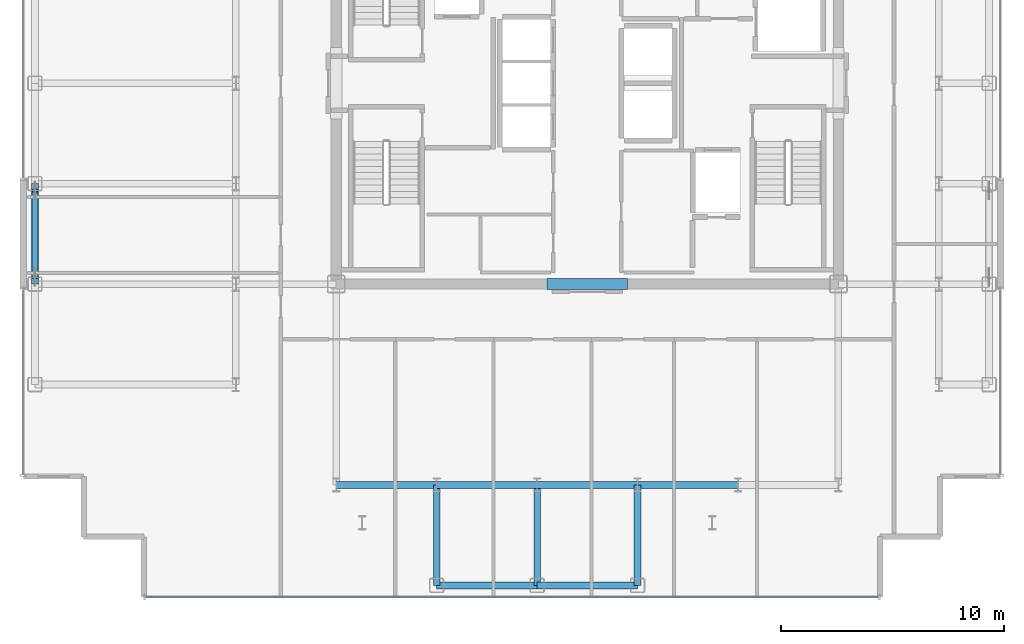
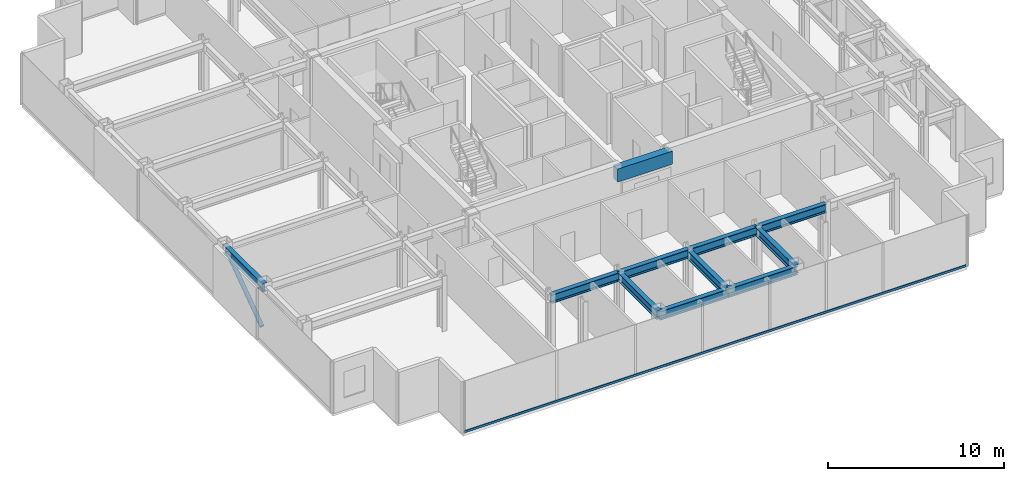
# One storey, part 3 of 16: 11 beams, 2 members, 1 element without a shape of its own.
"""IFC4 building model written with IfcOpenShell, lengths in metres."""

from ifc_helpers import new_model, si_unit, direction, frame, origin, origin_2d, place, context, subcontext, project, spatial, rectangle, hollow_rectangle, hollow_circle, i_section, extrude, source, transform, mapped, material, layer, layer_set, material_profile, profile_set, type_object, element, aggregate, save


model = new_model("IFC4")

# Units and contexts
model_context = context("Model", 3, precision=1e-05, world=origin(), true_north=direction((0.0, 1.0)))
body_context = subcontext(model_context, "Body", "Model", "MODEL_VIEW")
ifc_project = project(units=[si_unit("LENGTHUNIT", "METRE"), si_unit("AREAUNIT", "SQUARE_METRE"), si_unit("VOLUMEUNIT", "CUBIC_METRE"), si_unit("PLANEANGLEUNIT", "RADIAN"), si_unit("MASSUNIT", "GRAM", prefix="KILO")], contexts=[model_context])

# Site, building, storey
site_placement = place(None, origin())
site = spatial("IfcSite", under=ifc_project, at=site_placement, CompositionType="ELEMENT")
building_placement = place(site_placement, origin())
building = spatial("IfcBuilding", under=site, at=building_placement, Name="Nefas-Gora Pilgrimage Tower", CompositionType="ELEMENT")
storey_placement = place(building_placement, frame((0.0, 0.0, 276.0)))
storey = spatial("IfcBuildingStorey", under=building, at=storey_placement, Name="L69", CompositionType="ELEMENT", Elevation=276.0)

# Beams
ifc_material_1 = material(Name="Concrete C50/60", Category="concrete")
ifc_material_profile_1 = material_profile(ifc_material_1, rectangle(XDim=0.5, YDim=0.89990234375, at=origin_2d()), Name="RC 500x900")
ifc_profile_set_1 = profile_set([ifc_material_profile_1], Name="Concrete C50/60")
beam_type_1 = type_object("IfcBeamType", Name="BM-LIN-RC900", PredefinedType="LINTEL", material=ifc_profile_set_1)
shared_shape_1 = source(origin(), body_context, "Body", "SweptSolid", [
    extrude(rectangle(XDim=0.5, YDim=0.89990234375, at=origin_2d()), origin(), (0.0, 0.0, 1.0), 3.60009765625),
])
beam_placement = place(storey_placement, frame((-1.800048828125, -9.0, 3.10009765625), z_axis=(1.0, 0.0, 0.0), x_axis=(0.0, 1.0, 0.0)))
element("IfcBeam", 1, at=beam_placement, inside=storey, type_object=beam_type_1, Name="L69 Core Coupling Lintel Beam S", PredefinedType="LINTEL", context=body_context, shape_type="MappedRepresentation", body=[
    mapped(shared_shape_1, transform((0.0, 0.0, 0.0), x_axis=(1.0, 0.0, 0.0), y_axis=(0.0, 1.0, 0.0), z_axis=(0.0, 0.0, 1.0), scale=1.0)),
])
ifc_material_2 = material(Name="Steel S355", Category="steel")
ifc_material_profile_2 = material_profile(ifc_material_2, i_section(OverallWidth=0.300048828125, OverallDepth=0.60009765625, WebThickness=0.015380859375, FlangeThickness=0.030029296875, FilletRadius=0.027099609375, at=origin_2d()), Name="HEB 600")
ifc_profile_set_2 = profile_set([ifc_material_profile_2], Name="Steel S355")
beam_type_2 = type_object("IfcBeamType", Name="BM-SPN-HEB450", PredefinedType="SPANDREL", material=ifc_profile_set_2)
shared_shape_2 = source(origin(), body_context, "Body", "SweptSolid", [
    extrude(i_section(OverallWidth=0.300048828125, OverallDepth=0.60009765625, WebThickness=0.015380859375, FlangeThickness=0.030029296875, FilletRadius=0.027099609375, at=origin_2d()), origin(), (0.0, 0.0, 1.0), 4.5),
])
for number, where, z_axis, x_axis, name in (
    (2, (-24.75, -9.0, 3.25), (0.0, 1.0, 0.0), (-1.0, 0.0, 0.0), "L69 SP-03 beam"),
    (3, (-6.75, -22.5, 3.25), (1.0, 0.0, 0.0), (0.0, 1.0, 0.0), "L69 SP-03 beam"),
    (4, (-2.25, -22.5, 3.25), (1.0, 0.0, 0.0), (0.0, 1.0, 0.0), "L69 SP-03 beam"),
):
    element("IfcBeam", number, at=place(storey_placement, frame(where, z_axis=z_axis, x_axis=x_axis)), inside=storey, type_object=beam_type_2, Name=name, PredefinedType="SPANDREL", context=body_context, shape_type="MappedRepresentation", body=[
        mapped(shared_shape_2, transform((0.0, 0.0, 0.0), x_axis=(1.0, 0.0, 0.0), y_axis=(0.0, 1.0, 0.0), z_axis=(0.0, 0.0, 1.0), scale=1.0)),
    ])
ifc_material_profile_3 = material_profile(ifc_material_2, i_section(OverallWidth=0.300048828125, OverallDepth=0.60009765625, WebThickness=0.015380859375, FlangeThickness=0.030029296875, FilletRadius=0.027099609375, at=origin_2d()), Name="HEB 600")
ifc_profile_set_3 = profile_set([ifc_material_profile_3], Name="Steel S355")
beam_type_3 = type_object("IfcBeamType", Name="BM-GIR-HEB600", PredefinedType="BEAM", material=ifc_profile_set_3)
shared_shape_3 = source(origin(), body_context, "Body", "SweptSolid", [
    extrude(i_section(OverallWidth=0.300048828125, OverallDepth=0.60009765625, WebThickness=0.015380859375, FlangeThickness=0.030029296875, FilletRadius=0.027099609375, at=origin_2d()), origin(), (0.0, 0.0, 1.0), 4.5),
])
for number, where, z_axis, x_axis, name in (
    (5, (-11.25, -18.0, 3.25), (1.0, 0.0, 0.0), (0.0, 1.0, 0.0), "L69 G-04 beam"),
    (6, (-6.75, -22.5, 3.25), (0.0, 1.0, 0.0), (-1.0, 0.0, 0.0), "L69 G-04 beam"),
    (7, (-6.75, -18.0, 3.25), (1.0, 0.0, 0.0), (0.0, 1.0, 0.0), "L69 G-04 beam"),
    (8, (-2.25, -22.5, 3.25), (0.0, 1.0, 0.0), (-1.0, 0.0, 0.0), "L69 G-04 beam"),
    (9, (-2.25, -18.0, 3.25), (1.0, 0.0, 0.0), (0.0, 1.0, 0.0), "L69 G-04 beam"),
    (10, (2.25, -22.5, 3.25), (0.0, 1.0, 0.0), (-1.0, 0.0, 0.0), "L69 G-04 beam"),
    (11, (2.25, -18.0, 3.25), (1.0, 0.0, 0.0), (0.0, 1.0, 0.0), "L69 G-04 beam"),
):
    element("IfcBeam", number, at=place(storey_placement, frame(where, z_axis=z_axis, x_axis=x_axis)), inside=storey, type_object=beam_type_3, Name=name, PredefinedType="BEAM", context=body_context, shape_type="MappedRepresentation", body=[
        mapped(shared_shape_3, transform((0.0, 0.0, 0.0), x_axis=(1.0, 0.0, 0.0), y_axis=(0.0, 1.0, 0.0), z_axis=(0.0, 0.0, 1.0), scale=1.0)),
    ])

# Member
ifc_material_profile_4 = material_profile(ifc_material_2, hollow_circle(Radius=0.136474609375, WallThickness=0.01611328125, at=origin_2d()), Name="CHS 273x16")
ifc_profile_set_4 = profile_set([ifc_material_profile_4], Name="Steel S355")
member_type_1 = type_object("IfcMemberType", Name="MEM-TUBE-273", PredefinedType="BRACE", material=ifc_profile_set_4)
shared_shape_4 = source(origin(), body_context, "Body", "SweptSolid", [
    extrude(hollow_circle(Radius=0.136474609375, WallThickness=0.01611328125, at=origin_2d()), origin(), (0.0, 0.0, 1.0), 4.763671875),
])
member_1_placement = place(storey_placement, frame((-24.75, -8.68701171875, 0.3740234375), z_axis=(0.0, 0.813255312614, 0.581907034246), x_axis=(-1.0, 0.0, 0.0)))
element("IfcMember", 12, at=member_1_placement, inside=storey, type_object=member_type_1, Name="L69 Perimeter Tube Diagonal Brace W1", PredefinedType="BRACE", context=body_context, shape_type="MappedRepresentation", body=[
    mapped(shared_shape_4, transform((0.0, 0.0, 0.0), x_axis=(1.0, 0.0, 0.0), y_axis=(0.0, 1.0, 0.0), z_axis=(0.0, 0.0, 1.0), scale=1.0)),
])

# Curtain wall, member
ifc_material_3 = material(Name="Dark ceramic-fritted solar-control aluminium-glass curtain wall", Category="aluminium")
ifc_layer = layer(ifc_material_3, 0.219970703125)
ifc_layer_set = layer_set([ifc_layer], Name="Dark ceramic-fritted solar-control aluminium-glass curtain wall")
curtain_wall_type = type_object("IfcCurtainWallType", Name="CW-SYS-4", PredefinedType="NOTDEFINED", material=ifc_layer_set)
curtain_wall_placement = place(storey_placement, origin())
curtain_wall = element("IfcCurtainWall", 13, at=curtain_wall_placement, inside=storey, type_object=curtain_wall_type, Name="L69 Unitised Curtain Wall CW4", PredefinedType="NOTDEFINED")
ifc_material_4 = material(Name="Anodised architectural aluminium", Category="aluminium")
ifc_material_profile_5 = material_profile(ifc_material_4, hollow_rectangle(XDim=0.080078125, YDim=0.159912109375, WallThickness=0.00439453125, InnerFilletRadius=0.00439453125, OuterFilletRadius=0.009033203125, at=origin_2d()), Name="ALU TRANSOM 80x160")
ifc_profile_set_5 = profile_set([ifc_material_profile_5], Name="Anodised architectural aluminium")
member_type_2 = type_object("IfcMemberType", Name="CWM-TRN-4", PredefinedType="USERDEFINED", material=ifc_profile_set_5)
shared_shape_5 = source(origin(), body_context, "Body", "SweptSolid", [
    extrude(hollow_rectangle(XDim=0.080078125, YDim=0.159912109375, WallThickness=0.00439453125, InnerFilletRadius=0.00439453125, OuterFilletRadius=0.009033203125, at=origin_2d()), origin(), (0.0, 0.0, 1.0), 32.81005859375),
])
member_2_placement = place(storey_placement, frame((-19.780029296875, -23.02001953125, 0.050048828125), z_axis=(1.0, 0.0, 0.0), x_axis=(0.0, 1.0, 0.0)))
member_2 = element("IfcMember", 14, at=member_2_placement, type_object=member_type_2, Name="CW4 Spandrel Transom", ObjectType="TRANSOM", PredefinedType="USERDEFINED", context=body_context, shape_type="MappedRepresentation", body=[
    mapped(shared_shape_5, transform((0.0, 0.0, 0.0), x_axis=(1.0, 0.0, 0.0), y_axis=(0.0, 1.0, 0.0), z_axis=(0.0, 0.0, 1.0), scale=1.0)),
])
aggregate(curtain_wall, [member_2])

save(model, "model.ifc")
